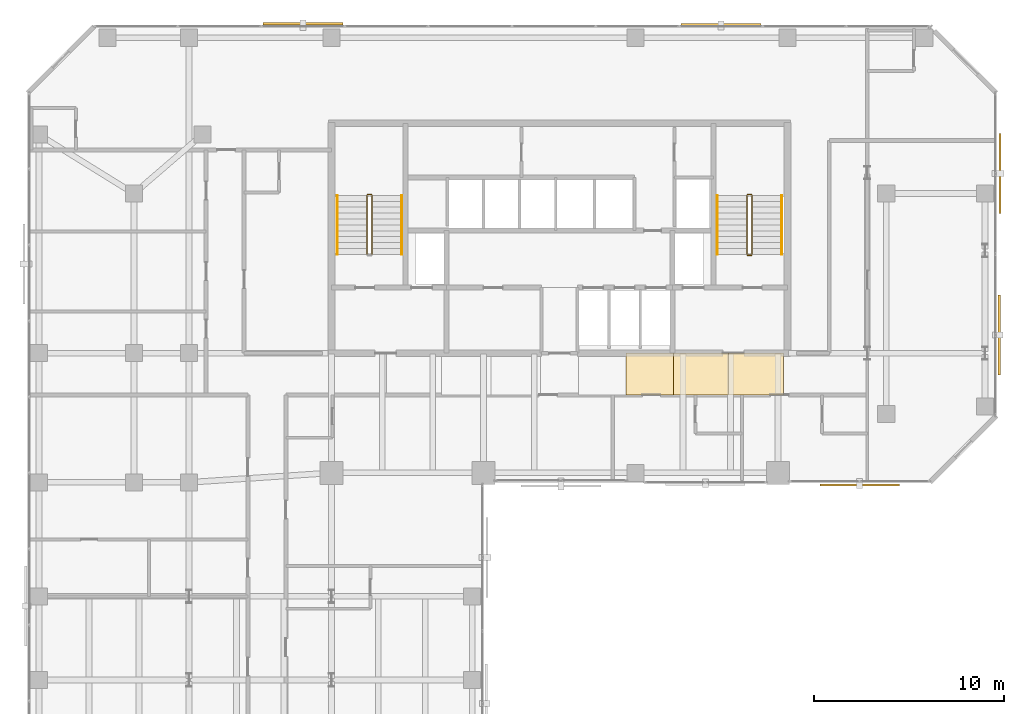
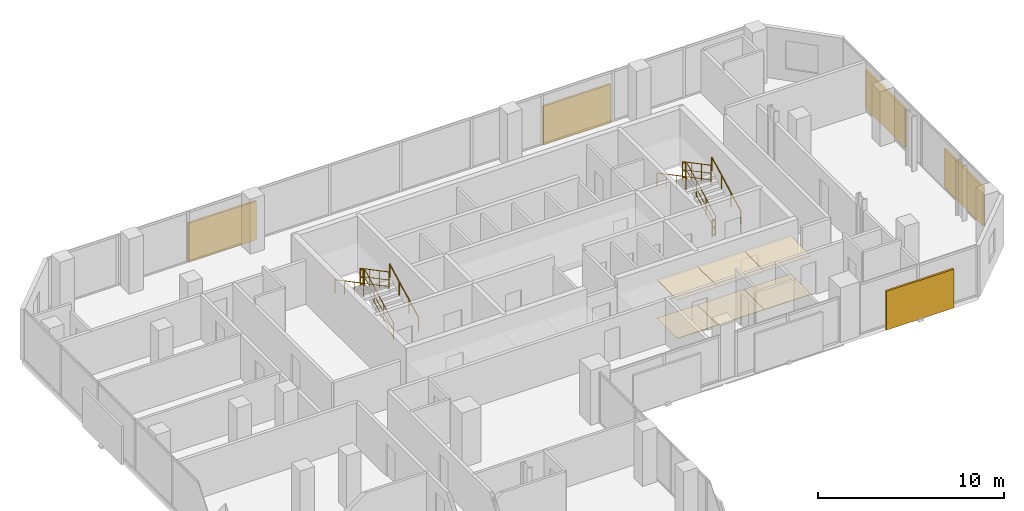
# One storey, part 34 of 34: 11 railings, 6 coverings, 5 shading devices.
"""IFC4 building model written with IfcOpenShell, lengths in metres."""

from ifc_helpers import new_model, si_unit, direction, frame, origin, origin_2d, place, context, subcontext, project, spatial, polyline, rectangle, circle, outline, extrude, material, layer, layer_set, type_object, element, save


model = new_model("IFC4")

# Units and contexts
model_context = context("Model", 3, precision=1e-05, world=origin(), true_north=direction((0.0, 1.0)))
body_context = subcontext(model_context, "Body", "Model", "MODEL_VIEW")
ifc_project = project(units=[si_unit("LENGTHUNIT", "METRE"), si_unit("AREAUNIT", "SQUARE_METRE"), si_unit("VOLUMEUNIT", "CUBIC_METRE"), si_unit("PLANEANGLEUNIT", "RADIAN"), si_unit("MASSUNIT", "GRAM", prefix="KILO")], contexts=[model_context])

# Site, building, storey
site_placement = place(None, origin())
site = spatial("IfcSite", under=ifc_project, at=site_placement, CompositionType="ELEMENT")
building_placement = place(site_placement, origin())
building = spatial("IfcBuilding", under=site, at=building_placement, Name="Catumbela Crestline Tower", CompositionType="ELEMENT")
storey_placement = place(building_placement, frame((0.0, 0.0, 115.2)))
storey = spatial("IfcBuildingStorey", under=building, at=storey_placement, Name="L29", CompositionType="ELEMENT", Elevation=115.2)

# Coverings
ifc_material_1 = material(Name="Mineral-fibre acoustic ceiling")
ifc_layer_1 = layer(ifc_material_1, 0.03, Name="Mineral-fibre acoustic ceiling")
ifc_layer_set_1 = layer_set([ifc_layer_1], Name="Mineral-fibre acoustic ceiling")
covering_type_1 = type_object("IfcCoveringType", Name="CC-AC", PredefinedType="CEILING", material=ifc_layer_set_1)
covering_1_placement = place(storey_placement, frame((0.0, 0.0, 2.52)))
element("IfcCovering", 1, at=covering_1_placement, inside=storey, type_object=covering_type_1, Name="L29 Corridor Acoustic Ceiling Bay 6", PredefinedType="CEILING", context=body_context, shape_type="SweptSolid", body=[
    extrude(outline(polyline([(31.5, 28.6), (34.0, 28.6), (34.0, 30.8), (31.5, 30.8), (31.5, 28.6)])), origin(), (0.0, 0.0, 1.0), 0.03),
])
covering_2_placement = place(storey_placement, frame((0.0, 0.0, 2.52)))
element("IfcCovering", 2, at=covering_2_placement, inside=storey, type_object=covering_type_1, Name="L29 Corridor Acoustic Ceiling Bay 7", PredefinedType="CEILING", context=body_context, shape_type="SweptSolid", body=[
    extrude(outline(polyline([(34.0, 28.6), (36.9, 28.6), (36.9, 30.8), (34.0, 30.8), (34.0, 28.6)])), origin(), (0.0, 0.0, 1.0), 0.03),
])
covering_3_placement = place(storey_placement, frame((0.0, 0.0, 2.52)))
element("IfcCovering", 3, at=covering_3_placement, inside=storey, type_object=covering_type_1, Name="L29 Corridor Acoustic Ceiling Bay 8", PredefinedType="CEILING", context=body_context, shape_type="SweptSolid", body=[
    extrude(outline(polyline([(36.9, 28.6), (39.8, 28.6), (39.8, 30.8), (36.9, 30.8), (36.9, 28.6)])), origin(), (0.0, 0.0, 1.0), 0.03),
])
ifc_material_2 = material(Name="Angolan grey-ochre granite", Category="masonry")
ifc_layer_2 = layer(ifc_material_2, 0.025, Name="Angolan grey-ochre granite")
ifc_layer_set_2 = layer_set([ifc_layer_2], Name="Angolan grey-ochre granite")
covering_type_2 = type_object("IfcCoveringType", Name="CF-GR", PredefinedType="FLOORING", material=ifc_layer_set_2)
covering_4_placement = place(storey_placement, origin())
element("IfcCovering", 4, at=covering_4_placement, inside=storey, type_object=covering_type_2, Name="L29 Corridor Granite Flooring Bay 6", PredefinedType="FLOORING", context=body_context, shape_type="SweptSolid", body=[
    extrude(outline(polyline([(31.5, 28.6), (34.0, 28.6), (34.0, 30.8), (31.5, 30.8), (31.5, 28.6)])), origin(), (0.0, 0.0, 1.0), 0.025),
])
covering_5_placement = place(storey_placement, origin())
element("IfcCovering", 5, at=covering_5_placement, inside=storey, type_object=covering_type_2, Name="L29 Corridor Granite Flooring Bay 7", PredefinedType="FLOORING", context=body_context, shape_type="SweptSolid", body=[
    extrude(outline(polyline([(34.0, 28.6), (36.9, 28.6), (36.9, 30.8), (34.0, 30.8), (34.0, 28.6)])), origin(), (0.0, 0.0, 1.0), 0.025),
])
covering_6_placement = place(storey_placement, origin())
element("IfcCovering", 6, at=covering_6_placement, inside=storey, type_object=covering_type_2, Name="L29 Corridor Granite Flooring Bay 8", PredefinedType="FLOORING", context=body_context, shape_type="SweptSolid", body=[
    extrude(outline(polyline([(36.9, 28.6), (39.8, 28.6), (39.8, 30.8), (36.9, 30.8), (36.9, 28.6)])), origin(), (0.0, 0.0, 1.0), 0.025),
])

# Railings
ifc_material_3 = material(Name="Stainless steel EN 1.4401", Category="steel")
railing_type_1 = type_object("IfcRailingType", Name="RG-1100", PredefinedType="GUARDRAIL", material=ifc_material_3)
railing_1_placement = place(storey_placement, frame((18.14, 36.0, 0.1636)))
element("IfcRailing", 7, at=railing_1_placement, inside=storey, type_object=railing_type_1, Name="L29 ST-01 stair guard 1", PredefinedType="GUARDRAIL", context=body_context, shape_type="SweptSolid", body=[
    extrude(circle(Radius=0.024, at=origin_2d()), frame((0.0, 0.0, 1.076), z_axis=(0.0, 0.884350731049, 0.466823076222), x_axis=(-1.0, 0.0, 0.0)), (0.0, 0.0, 1.0), 3.5054),
    extrude(circle(Radius=0.0156, at=origin_2d()), frame((0.0, 0.0, 0.55), z_axis=(0.0, 0.884350731049, 0.466823076222), x_axis=(-1.0, 0.0, 0.0)), (0.0, 0.0, 1.0), 3.5054),
    extrude(circle(Radius=0.0156, at=origin_2d()), frame((0.0, 0.0, 0.12), z_axis=(0.0, 0.884350731049, 0.466823076222), x_axis=(-1.0, 0.0, 0.0)), (0.0, 0.0, 1.0), 3.5054),
    extrude(circle(Radius=0.021, at=origin_2d()), origin(), (0.0, 0.0, 1.0), 1.052),
    extrude(circle(Radius=0.021, at=origin_2d()), frame((0.0, 1.0333, 0.5455)), (0.0, 0.0, 1.0), 1.052),
    extrude(circle(Radius=0.021, at=origin_2d()), frame((0.0, 2.0667, 1.0909)), (0.0, 0.0, 1.0), 1.052),
    extrude(circle(Radius=0.021, at=origin_2d()), frame((0.0, 3.1, 1.6364)), (0.0, 0.0, 1.0), 1.052),
])
railing_2_placement = place(storey_placement, frame((18.09, 39.15, 1.8)))
element("IfcRailing", 8, at=railing_2_placement, inside=storey, type_object=railing_type_1, Name="L29 ST-01 stair guard 2", PredefinedType="GUARDRAIL", context=body_context, shape_type="SweptSolid", body=[
    extrude(circle(Radius=0.024, at=origin_2d()), frame((0.0, 0.0, 1.076), z_axis=(-1.0, 0.0, 0.0), x_axis=(0.0, -1.0, 0.0)), (0.0, 0.0, 1.0), 0.18),
    extrude(circle(Radius=0.0156, at=origin_2d()), frame((0.0, 0.0, 0.55), z_axis=(-1.0, 0.0, 0.0), x_axis=(0.0, -1.0, 0.0)), (0.0, 0.0, 1.0), 0.18),
    extrude(circle(Radius=0.0156, at=origin_2d()), frame((0.0, 0.0, 0.12), z_axis=(-1.0, 0.0, 0.0), x_axis=(0.0, -1.0, 0.0)), (0.0, 0.0, 1.0), 0.18),
    extrude(circle(Radius=0.021, at=origin_2d()), origin(), (0.0, 0.0, 1.0), 1.052),
    extrude(circle(Radius=0.021, at=origin_2d()), frame((-0.18, 0.0, 0.0)), (0.0, 0.0, 1.0), 1.052),
])
railing_3_placement = place(storey_placement, frame((17.86, 39.1, 1.9636)))
element("IfcRailing", 9, at=railing_3_placement, inside=storey, type_object=railing_type_1, Name="L29 ST-01 stair guard 3", PredefinedType="GUARDRAIL", context=body_context, shape_type="SweptSolid", body=[
    extrude(circle(Radius=0.024, at=origin_2d()), frame((0.0, 0.0, 1.076), z_axis=(0.0, -0.884350731049, 0.466823076222), x_axis=(1.0, 0.0, 0.0)), (0.0, 0.0, 1.0), 3.5054),
    extrude(circle(Radius=0.0156, at=origin_2d()), frame((0.0, 0.0, 0.55), z_axis=(0.0, -0.884350731049, 0.466823076222), x_axis=(1.0, 0.0, 0.0)), (0.0, 0.0, 1.0), 3.5054),
    extrude(circle(Radius=0.0156, at=origin_2d()), frame((0.0, 0.0, 0.12), z_axis=(0.0, -0.884350731049, 0.466823076222), x_axis=(1.0, 0.0, 0.0)), (0.0, 0.0, 1.0), 3.5054),
    extrude(circle(Radius=0.021, at=origin_2d()), origin(), (0.0, 0.0, 1.0), 1.052),
    extrude(circle(Radius=0.021, at=origin_2d()), frame((0.0, -1.0333, 0.5455)), (0.0, 0.0, 1.0), 1.052),
    extrude(circle(Radius=0.021, at=origin_2d()), frame((0.0, -2.0667, 1.0909)), (0.0, 0.0, 1.0), 1.052),
    extrude(circle(Radius=0.021, at=origin_2d()), frame((0.0, -3.1, 1.6364)), (0.0, 0.0, 1.0), 1.052),
])
railing_4_placement = place(storey_placement, frame((38.14, 36.0, 0.1636)))
element("IfcRailing", 10, at=railing_4_placement, inside=storey, type_object=railing_type_1, Name="L29 ST-02 stair guard 1", PredefinedType="GUARDRAIL", context=body_context, shape_type="SweptSolid", body=[
    extrude(circle(Radius=0.024, at=origin_2d()), frame((0.0, 0.0, 1.076), z_axis=(0.0, 0.884350731049, 0.466823076222), x_axis=(-1.0, 0.0, 0.0)), (0.0, 0.0, 1.0), 3.5054),
    extrude(circle(Radius=0.0156, at=origin_2d()), frame((0.0, 0.0, 0.55), z_axis=(0.0, 0.884350731049, 0.466823076222), x_axis=(-1.0, 0.0, 0.0)), (0.0, 0.0, 1.0), 3.5054),
    extrude(circle(Radius=0.0156, at=origin_2d()), frame((0.0, 0.0, 0.12), z_axis=(0.0, 0.884350731049, 0.466823076222), x_axis=(-1.0, 0.0, 0.0)), (0.0, 0.0, 1.0), 3.5054),
    extrude(circle(Radius=0.021, at=origin_2d()), origin(), (0.0, 0.0, 1.0), 1.052),
    extrude(circle(Radius=0.021, at=origin_2d()), frame((0.0, 1.0333, 0.5455)), (0.0, 0.0, 1.0), 1.052),
    extrude(circle(Radius=0.021, at=origin_2d()), frame((0.0, 2.0667, 1.0909)), (0.0, 0.0, 1.0), 1.052),
    extrude(circle(Radius=0.021, at=origin_2d()), frame((0.0, 3.1, 1.6364)), (0.0, 0.0, 1.0), 1.052),
])
railing_5_placement = place(storey_placement, frame((38.09, 39.15, 1.8)))
element("IfcRailing", 11, at=railing_5_placement, inside=storey, type_object=railing_type_1, Name="L29 ST-02 stair guard 2", PredefinedType="GUARDRAIL", context=body_context, shape_type="SweptSolid", body=[
    extrude(circle(Radius=0.024, at=origin_2d()), frame((0.0, 0.0, 1.076), z_axis=(-1.0, 0.0, 0.0), x_axis=(0.0, -1.0, 0.0)), (0.0, 0.0, 1.0), 0.18),
    extrude(circle(Radius=0.0156, at=origin_2d()), frame((0.0, 0.0, 0.55), z_axis=(-1.0, 0.0, 0.0), x_axis=(0.0, -1.0, 0.0)), (0.0, 0.0, 1.0), 0.18),
    extrude(circle(Radius=0.0156, at=origin_2d()), frame((0.0, 0.0, 0.12), z_axis=(-1.0, 0.0, 0.0), x_axis=(0.0, -1.0, 0.0)), (0.0, 0.0, 1.0), 0.18),
    extrude(circle(Radius=0.021, at=origin_2d()), origin(), (0.0, 0.0, 1.0), 1.052),
    extrude(circle(Radius=0.021, at=origin_2d()), frame((-0.18, 0.0, 0.0)), (0.0, 0.0, 1.0), 1.052),
])
railing_6_placement = place(storey_placement, frame((37.86, 39.1, 1.9636)))
element("IfcRailing", 12, at=railing_6_placement, inside=storey, type_object=railing_type_1, Name="L29 ST-02 stair guard 3", PredefinedType="GUARDRAIL", context=body_context, shape_type="SweptSolid", body=[
    extrude(circle(Radius=0.024, at=origin_2d()), frame((0.0, 0.0, 1.076), z_axis=(0.0, -0.884350731049, 0.466823076222), x_axis=(1.0, 0.0, 0.0)), (0.0, 0.0, 1.0), 3.5054),
    extrude(circle(Radius=0.0156, at=origin_2d()), frame((0.0, 0.0, 0.55), z_axis=(0.0, -0.884350731049, 0.466823076222), x_axis=(1.0, 0.0, 0.0)), (0.0, 0.0, 1.0), 3.5054),
    extrude(circle(Radius=0.0156, at=origin_2d()), frame((0.0, 0.0, 0.12), z_axis=(0.0, -0.884350731049, 0.466823076222), x_axis=(1.0, 0.0, 0.0)), (0.0, 0.0, 1.0), 3.5054),
    extrude(circle(Radius=0.021, at=origin_2d()), origin(), (0.0, 0.0, 1.0), 1.052),
    extrude(circle(Radius=0.021, at=origin_2d()), frame((0.0, -1.0333, 0.5455)), (0.0, 0.0, 1.0), 1.052),
    extrude(circle(Radius=0.021, at=origin_2d()), frame((0.0, -2.0667, 1.0909)), (0.0, 0.0, 1.0), 1.052),
    extrude(circle(Radius=0.021, at=origin_2d()), frame((0.0, -3.1, 1.6364)), (0.0, 0.0, 1.0), 1.052),
])
railing_7_placement = place(storey_placement, frame((38.09, 35.95, 0.0)))
element("IfcRailing", 13, at=railing_7_placement, inside=storey, type_object=railing_type_1, Name="L29 ST-02 stair guard 4", PredefinedType="GUARDRAIL", context=body_context, shape_type="SweptSolid", body=[
    extrude(circle(Radius=0.024, at=origin_2d()), frame((0.0, 0.0, 1.076), z_axis=(-1.0, 0.0, 0.0), x_axis=(0.0, -1.0, 0.0)), (0.0, 0.0, 1.0), 0.18),
    extrude(circle(Radius=0.0156, at=origin_2d()), frame((0.0, 0.0, 0.55), z_axis=(-1.0, 0.0, 0.0), x_axis=(0.0, -1.0, 0.0)), (0.0, 0.0, 1.0), 0.18),
    extrude(circle(Radius=0.0156, at=origin_2d()), frame((0.0, 0.0, 0.12), z_axis=(-1.0, 0.0, 0.0), x_axis=(0.0, -1.0, 0.0)), (0.0, 0.0, 1.0), 0.18),
    extrude(circle(Radius=0.021, at=origin_2d()), origin(), (0.0, 0.0, 1.0), 1.052),
    extrude(circle(Radius=0.021, at=origin_2d()), frame((-0.18, 0.0, 0.0)), (0.0, 0.0, 1.0), 1.052),
])
railing_type_2 = type_object("IfcRailingType", Name="RH-0900", PredefinedType="HANDRAIL", material=ifc_material_3)
railing_8_placement = place(storey_placement, frame((19.7, 36.0, 0.1636)))
element("IfcRailing", 14, at=railing_8_placement, inside=storey, type_object=railing_type_2, Name="L29 ST-01 stair handrail 1", PredefinedType="HANDRAIL", context=body_context, shape_type="SweptSolid", body=[
    extrude(circle(Radius=0.024, at=origin_2d()), frame((0.0, 0.0, 0.876), z_axis=(0.0, 0.884350731049, 0.466823076222), x_axis=(-1.0, 0.0, 0.0)), (0.0, 0.0, 1.0), 3.5054),
    extrude(circle(Radius=0.021, at=origin_2d()), origin(), (0.0, 0.0, 1.0), 0.852),
    extrude(circle(Radius=0.021, at=origin_2d()), frame((0.0, 1.0333, 0.5455)), (0.0, 0.0, 1.0), 0.852),
    extrude(circle(Radius=0.021, at=origin_2d()), frame((0.0, 2.0667, 1.0909)), (0.0, 0.0, 1.0), 0.852),
    extrude(circle(Radius=0.021, at=origin_2d()), frame((0.0, 3.1, 1.6364)), (0.0, 0.0, 1.0), 0.852),
])
railing_9_placement = place(storey_placement, frame((16.3, 39.1, 1.9636)))
element("IfcRailing", 15, at=railing_9_placement, inside=storey, type_object=railing_type_2, Name="L29 ST-01 stair handrail 2", PredefinedType="HANDRAIL", context=body_context, shape_type="SweptSolid", body=[
    extrude(circle(Radius=0.024, at=origin_2d()), frame((0.0, 0.0, 0.876), z_axis=(0.0, -0.884350731049, 0.466823076222), x_axis=(1.0, 0.0, 0.0)), (0.0, 0.0, 1.0), 3.5054),
    extrude(circle(Radius=0.021, at=origin_2d()), origin(), (0.0, 0.0, 1.0), 0.852),
    extrude(circle(Radius=0.021, at=origin_2d()), frame((0.0, -1.0333, 0.5455)), (0.0, 0.0, 1.0), 0.852),
    extrude(circle(Radius=0.021, at=origin_2d()), frame((0.0, -2.0667, 1.0909)), (0.0, 0.0, 1.0), 0.852),
    extrude(circle(Radius=0.021, at=origin_2d()), frame((0.0, -3.1, 1.6364)), (0.0, 0.0, 1.0), 0.852),
])
railing_10_placement = place(storey_placement, frame((39.7, 36.0, 0.1636)))
element("IfcRailing", 16, at=railing_10_placement, inside=storey, type_object=railing_type_2, Name="L29 ST-02 stair handrail 1", PredefinedType="HANDRAIL", context=body_context, shape_type="SweptSolid", body=[
    extrude(circle(Radius=0.024, at=origin_2d()), frame((0.0, 0.0, 0.876), z_axis=(0.0, 0.884350731049, 0.466823076222), x_axis=(-1.0, 0.0, 0.0)), (0.0, 0.0, 1.0), 3.5054),
    extrude(circle(Radius=0.021, at=origin_2d()), origin(), (0.0, 0.0, 1.0), 0.852),
    extrude(circle(Radius=0.021, at=origin_2d()), frame((0.0, 1.0333, 0.5455)), (0.0, 0.0, 1.0), 0.852),
    extrude(circle(Radius=0.021, at=origin_2d()), frame((0.0, 2.0667, 1.0909)), (0.0, 0.0, 1.0), 0.852),
    extrude(circle(Radius=0.021, at=origin_2d()), frame((0.0, 3.1, 1.6364)), (0.0, 0.0, 1.0), 0.852),
])
railing_11_placement = place(storey_placement, frame((36.3, 39.1, 1.9636)))
element("IfcRailing", 17, at=railing_11_placement, inside=storey, type_object=railing_type_2, Name="L29 ST-02 stair handrail 2", PredefinedType="HANDRAIL", context=body_context, shape_type="SweptSolid", body=[
    extrude(circle(Radius=0.024, at=origin_2d()), frame((0.0, 0.0, 0.876), z_axis=(0.0, -0.884350731049, 0.466823076222), x_axis=(1.0, 0.0, 0.0)), (0.0, 0.0, 1.0), 3.5054),
    extrude(circle(Radius=0.021, at=origin_2d()), origin(), (0.0, 0.0, 1.0), 0.852),
    extrude(circle(Radius=0.021, at=origin_2d()), frame((0.0, -1.0333, 0.5455)), (0.0, 0.0, 1.0), 0.852),
    extrude(circle(Radius=0.021, at=origin_2d()), frame((0.0, -2.0667, 1.0909)), (0.0, 0.0, 1.0), 0.852),
    extrude(circle(Radius=0.021, at=origin_2d()), frame((0.0, -3.1, 1.6364)), (0.0, 0.0, 1.0), 0.852),
])

# Shading devices
ifc_material_4 = material(Name="Extruded terracotta ceramic", Category="masonry")
shading_device_type_1 = type_object("IfcShadingDeviceType", Name="ST-180", PredefinedType="USERDEFINED", material=ifc_material_4)
shading_device_1_placement = place(storey_placement, frame((36.5, 48.099, -0.1), z_axis=(0.0, 0.0, 1.0), x_axis=(-1.0, 0.0, 0.0)))
element("IfcShadingDevice", 18, at=shading_device_1_placement, inside=storey, type_object=shading_device_type_1, Name="L29 Perforated Terracotta Solar Screen 311 (180 mm)", ObjectType="SCREEN", PredefinedType="USERDEFINED", context=body_context, shape_type="SweptSolid", body=[
    extrude(rectangle(XDim=4.2, YDim=0.12, at=origin_2d()), origin(), (0.0, 0.0, 1.0), 2.55),
])
shading_device_type_2 = type_object("IfcShadingDeviceType", Name="ST-260", PredefinedType="USERDEFINED", material=ifc_material_4)
for number, where, z_axis, x_axis, name in (
    (19, (43.8, 23.857, -0.1), (0.0, 0.0, 1.0), (1.0, 0.0, 0.0), "L29 Perforated Terracotta Solar Screen 308 (260 mm)"),
    (20, (51.143, 31.75, -0.1), (0.0, 0.0, 1.0), (0.0, 1.0, 0.0), "L29 Perforated Terracotta Solar Screen 309 (260 mm)"),
    (21, (14.5, 48.143, -0.1), (0.0, 0.0, 1.0), (-1.0, 0.0, 0.0), "L29 Perforated Terracotta Solar Screen 312 (260 mm)"),
):
    element("IfcShadingDevice", number, at=place(storey_placement, frame(where, z_axis=z_axis, x_axis=x_axis)), inside=storey, type_object=shading_device_type_2, Name=name, ObjectType="SCREEN", PredefinedType="USERDEFINED", context=body_context, shape_type="SweptSolid", body=[
        extrude(rectangle(XDim=4.2, YDim=0.12, at=origin_2d()), origin(), (0.0, 0.0, 1.0), 2.55),
    ])
shading_device_type_3 = type_object("IfcShadingDeviceType", Name="ST-340", PredefinedType="USERDEFINED", material=ifc_material_4)
shading_device_2_placement = place(storey_placement, frame((51.187, 40.25, -0.1), z_axis=(0.0, 0.0, 1.0), x_axis=(0.0, 1.0, 0.0)))
element("IfcShadingDevice", 22, at=shading_device_2_placement, inside=storey, type_object=shading_device_type_3, Name="L29 Perforated Terracotta Solar Screen 310 (340 mm)", ObjectType="SCREEN", PredefinedType="USERDEFINED", context=body_context, shape_type="SweptSolid", body=[
    extrude(rectangle(XDim=4.2, YDim=0.12, at=origin_2d()), origin(), (0.0, 0.0, 1.0), 2.55),
])

save(model, "model.ifc")
